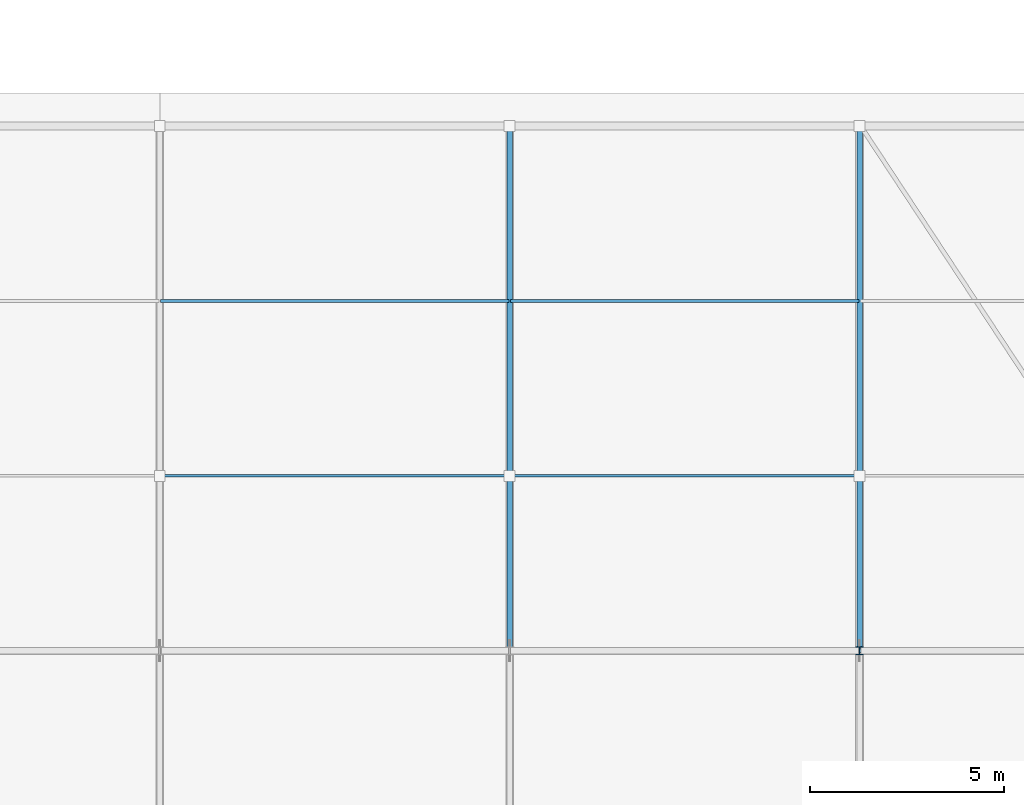
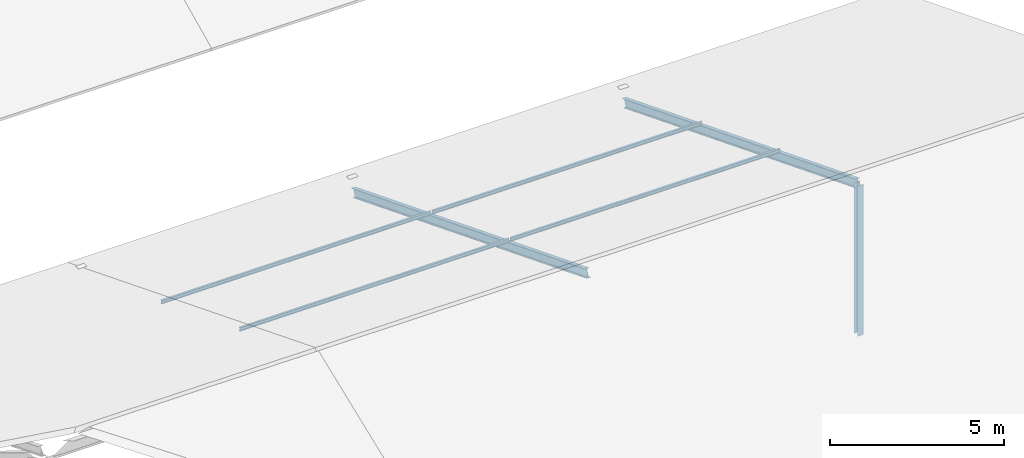
# One storey, part 76 of 132: 7 members.
"""IFC4 building model written with IfcOpenShell, lengths in metres."""

from ifc_helpers import new_model, si_unit, direction, frame, origin, origin_2d, place, context, subcontext, project, spatial, i_section, extrude, material, material_profile, profile_set, type_object, element, save


model = new_model("IFC4")

# Units and contexts
model_context = context("Model", 3, precision=1e-05, world=origin(), true_north=direction((0.0, 1.0)))
body_context = subcontext(model_context, "Body", "Model", "MODEL_VIEW")
ifc_project = project(units=[si_unit("LENGTHUNIT", "METRE"), si_unit("AREAUNIT", "SQUARE_METRE"), si_unit("VOLUMEUNIT", "CUBIC_METRE"), si_unit("PLANEANGLEUNIT", "RADIAN"), si_unit("MASSUNIT", "GRAM", prefix="KILO")], contexts=[model_context])

# Site, building, storey
site_placement = place(None, origin())
site = spatial("IfcSite", under=ifc_project, at=site_placement, CompositionType="ELEMENT")
building_placement = place(site_placement, origin())
building = spatial("IfcBuilding", under=site, at=building_placement, Name="Tharagai Park Tramway Depot", CompositionType="ELEMENT")
storey_placement = place(building_placement, frame((0.0, 0.0, 4.800048828125)))
storey = spatial("IfcBuildingStorey", under=building, at=storey_placement, Name="L01", CompositionType="ELEMENT", Elevation=4.800048828125)

# Members
ifc_material_1 = material(Name="Steel E350", Category="steel")
ifc_material_profile_1 = material_profile(ifc_material_1, i_section(OverallWidth=0.199951171875, OverallDepth=0.199951171875, WebThickness=0.0078125, FlangeThickness=0.009033203125, FilletRadius=0.009033203125, at=origin_2d()), Name="ISHB 200")
ifc_profile_set_1 = profile_set([ifc_material_profile_1], Name="Steel E350")
member_type_1 = type_object("IfcMemberType", Name="BR-10", PredefinedType="BRACE", material=ifc_profile_set_1)
member_placement = place(storey_placement, frame((207.0, 67.5, -0.449951171875), z_axis=(0.0, 0.0, 1.0), x_axis=(1.0, 0.0, 0.0)))
element("IfcMember", 1, at=member_placement, inside=storey, type_object=member_type_1, Name="V6 Gable King Strut BR-10", PredefinedType="BRACE", context=body_context, shape_type="SweptSolid", body=[
    extrude(i_section(OverallWidth=0.199951171875, OverallDepth=0.199951171875, WebThickness=0.0078125, FlangeThickness=0.009033203125, FilletRadius=0.009033203125, at=origin_2d()), origin(), (0.0, 0.0, 1.0), 5.2900390625),
])
ifc_material_2 = material(Name="Steel E250", Category="steel")
ifc_material_profile_2 = material_profile(ifc_material_2, i_section(OverallWidth=0.070068359375, OverallDepth=0.125, WebThickness=0.00439453125, FlangeThickness=0.007080078125, FilletRadius=0.008056640625, at=origin_2d()), Name="ISMB 125")
ifc_profile_set_2 = profile_set([ifc_material_profile_2], Name="Steel E250")
member_type_2 = type_object("IfcMemberType", Name="PR-06", PredefinedType="PURLIN", material=ifc_profile_set_2)
for number, where, z_axis, x_axis, name in (
    (2, (189.02001953125, 76.5, 1.512451171875), (1.0, 0.0, 0.0), (0.0, 1.0, 0.0), "V6 Roof Purlin PR-06"),
    (3, (189.02001953125, 72.0, 3.284912109375), (1.0, 0.0, 0.0), (0.0, 1.0, 0.0), "V6 Roof Purlin PR-06"),
    (4, (198.02001953125, 76.5, 1.512451171875), (1.0, 0.0, 0.0), (0.0, 1.0, 0.0), "V6 Roof Purlin PR-06"),
    (5, (198.02001953125, 72.0, 3.284912109375), (1.0, 0.0, 0.0), (0.0, 1.0, 0.0), "V6 Roof Purlin PR-06"),
):
    element("IfcMember", number, at=place(storey_placement, frame(where, z_axis=z_axis, x_axis=x_axis)), inside=storey, type_object=member_type_2, Name=name, PredefinedType="PURLIN", context=body_context, shape_type="SweptSolid", body=[
        extrude(i_section(OverallWidth=0.070068359375, OverallDepth=0.125, WebThickness=0.00439453125, FlangeThickness=0.007080078125, FilletRadius=0.008056640625, at=origin_2d()), origin(), (0.0, 0.0, 1.0), 8.9599609375),
    ])
ifc_material_profile_3 = material_profile(ifc_material_1, i_section(OverallWidth=0.139892578125, OverallDepth=0.300048828125, WebThickness=0.0078125, FlangeThickness=0.01318359375, FilletRadius=0.013916015625, at=origin_2d()), Name="ISMB 300")
ifc_profile_set_3 = profile_set([ifc_material_profile_3], Name="Steel E350")
member_type_3 = type_object("IfcMemberType", Name="RF-02", PredefinedType="RAFTER", material=ifc_profile_set_3)
for number, where, z_axis, x_axis, name in (
    (6, (198.0, 67.5, 4.840087890625), (0.0, 0.929950116334, -0.367685709717), (-1.0, 0.0, 0.0), "V6 Pitched Rafter RF-02 North"),
    (7, (207.0, 67.5, 4.840087890625), (0.0, 0.929950116334, -0.367685709717), (-1.0, 0.0, 0.0), "V6 Pitched Rafter RF-02 North"),
):
    element("IfcMember", number, at=place(storey_placement, frame(where, z_axis=z_axis, x_axis=x_axis)), inside=storey, type_object=member_type_3, Name=name, PredefinedType="RAFTER", context=body_context, shape_type="SweptSolid", body=[
        extrude(i_section(OverallWidth=0.139892578125, OverallDepth=0.300048828125, WebThickness=0.0078125, FlangeThickness=0.01318359375, FilletRadius=0.013916015625, at=origin_2d()), origin(), (0.0, 0.0, 1.0), 14.463134765625),
    ])

save(model, "model.ifc")
